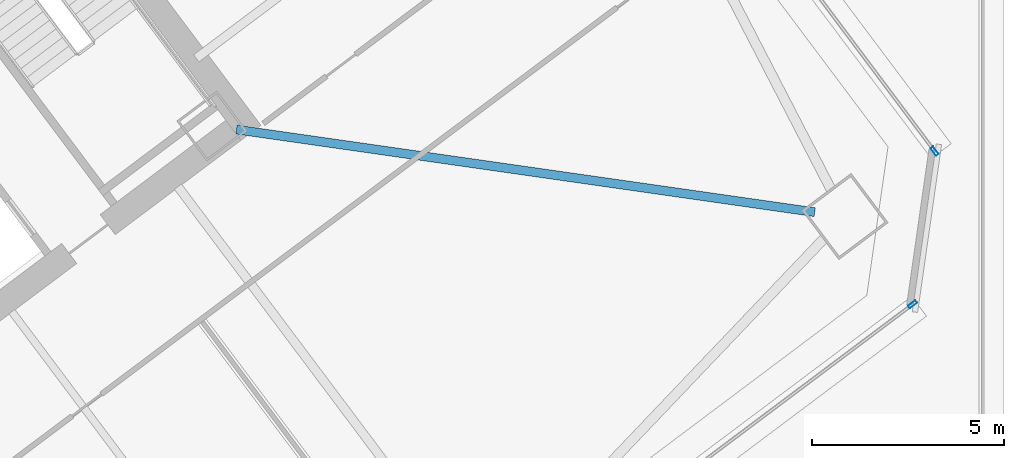
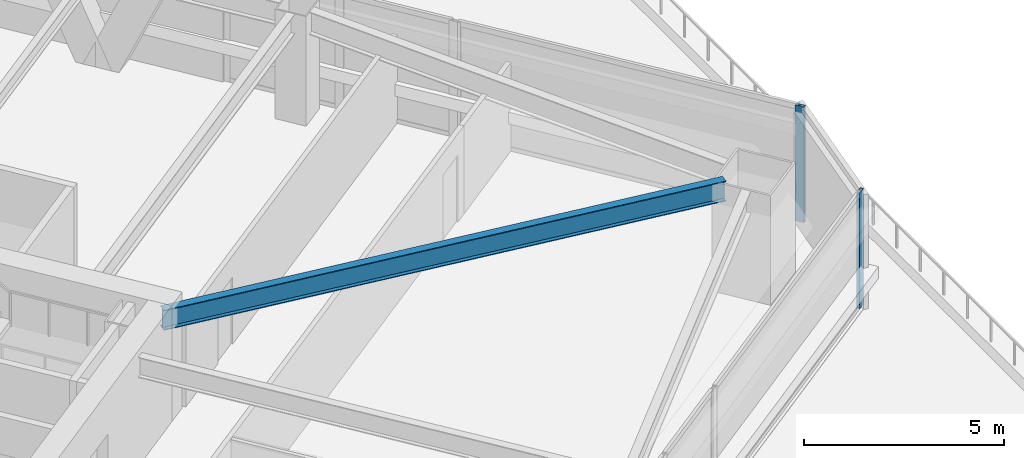
# One storey, part 61 of 83: 2 members, 1 beam, 2 elements without a shape of their own.
"""IFC4 building model written with IfcOpenShell, lengths in metres."""

from ifc_helpers import new_model, si_unit, direction, frame, origin, origin_2d, place, context, subcontext, project, spatial, hollow_rectangle, i_section, extrude, material, material_profile, profile_set, type_object, element, aggregate, save


model = new_model("IFC4")

# Units and contexts
model_context = context("Model", 3, precision=1e-05, world=origin(), true_north=direction((0.0, 1.0)))
body_context = subcontext(model_context, "Body", "Model", "MODEL_VIEW")
ifc_project = project(units=[si_unit("LENGTHUNIT", "METRE"), si_unit("AREAUNIT", "SQUARE_METRE"), si_unit("VOLUMEUNIT", "CUBIC_METRE"), si_unit("PLANEANGLEUNIT", "RADIAN"), si_unit("MASSUNIT", "GRAM", prefix="KILO")], contexts=[model_context])

# Site, building, storey
site_placement = place(None, origin())
site = spatial("IfcSite", under=ifc_project, at=site_placement, CompositionType="ELEMENT")
building_placement = place(site_placement, origin())
building = spatial("IfcBuilding", under=site, at=building_placement, Name="Tashvorn Skyway Center", CompositionType="ELEMENT")
storey_placement = place(building_placement, frame((0.0, 0.0, 24.60009765625)))
storey = spatial("IfcBuildingStorey", under=building, at=storey_placement, Name="L05", CompositionType="ELEMENT", Elevation=24.60009765625)

# Beam
ifc_material_1 = material(Name="Steel ASTM A992 Grade 50", Category="steel")
ifc_material_profile_1 = material_profile(ifc_material_1, i_section(OverallWidth=0.22998046875, OverallDepth=0.616943359375, WebThickness=0.01318359375, FlangeThickness=0.022216796875, at=origin_2d()), Name="W24X94")
ifc_profile_set_1 = profile_set([ifc_material_profile_1], Name="Steel ASTM A992 Grade 50")
beam_type = type_object("IfcBeamType", Name="BM-BEAM-W24X94", PredefinedType="BEAM", material=ifc_profile_set_1)
beam_placement = place(storey_placement, frame((139.532958984375, 28.3525390625, 3.04150390625), z_axis=(-0.989950458816, 0.141414599991, 0.0), x_axis=(-0.141414599991, -0.989950458816, 0.0)))
element("IfcBeam", 1, at=beam_placement, inside=storey, type_object=beam_type, Name="Tower 2 L05 Primary Floor Girder MC-SE", PredefinedType="BEAM", context=body_context, shape_type="SweptSolid", body=[
    extrude(i_section(OverallWidth=0.22998046875, OverallDepth=0.616943359375, WebThickness=0.01318359375, FlangeThickness=0.022216796875, at=origin_2d()), origin(), (0.0, 0.0, 1.0), 15.177001953125),
])

# Curtain wall, member
ifc_material_2 = material(Name="Thermally broken bronze-anodized aluminium 6063-T6", Category="aluminium")
curtain_wall_type = type_object("IfcCurtainWallType", Name="CW-CW-Z1", PredefinedType="NOTDEFINED", material=ifc_material_2)
curtain_wall_1_placement = place(storey_placement, origin())
curtain_wall_1 = element("IfcCurtainWall", 2, at=curtain_wall_1_placement, inside=storey, type_object=curtain_wall_type, Name="Tower 2 L05 South Unitised Curtain Wall Glazing Group 1", PredefinedType="NOTDEFINED")
ifc_material_profile_2 = material_profile(ifc_material_2, hollow_rectangle(XDim=0.0849609375, YDim=0.239990234375, WallThickness=0.0048828125, at=origin_2d()), Name="ALU-MULL-85x240")
ifc_profile_set_2 = profile_set([ifc_material_profile_2], Name="Thermally broken bronze-anodized aluminium 6063-T6")
member_type = type_object("IfcMemberType", Name="CWM-CW-Z1", PredefinedType="MULLION", material=ifc_profile_set_2)
member_1_placement = place(storey_placement, frame((142.077880859375, 25.95849609375, 0.0), z_axis=(0.0, 0.0, 1.0), x_axis=(0.600000000002, -0.799999999998, 0.0)))
member_1 = element("IfcMember", 3, at=member_1_placement, type_object=member_type, Name="CW-Z1 mullion 1", PredefinedType="MULLION", context=body_context, shape_type="SweptSolid", body=[
    extrude(hollow_rectangle(XDim=0.0849609375, YDim=0.239990234375, WallThickness=0.0048828125, at=origin_2d()), origin(), (0.0, 0.0, 1.0), 3.5498046875),
])
aggregate(curtain_wall_1, [member_1])

curtain_wall_2_placement = place(storey_placement, origin())
curtain_wall_2 = element("IfcCurtainWall", 4, at=curtain_wall_2_placement, inside=storey, type_object=curtain_wall_type, Name="Tower 2 L05 East Unitised Curtain Wall Glazing Group 4", PredefinedType="NOTDEFINED")
member_2_placement = place(storey_placement, frame((142.646484375, 29.93798828125, 0.0), z_axis=(0.0, 0.0, 1.0), x_axis=(0.799999999998, 0.600000000002, 0.0)))
member_2 = element("IfcMember", 5, at=member_2_placement, type_object=member_type, Name="CW-Z1 mullion 2", PredefinedType="MULLION", context=body_context, shape_type="SweptSolid", body=[
    extrude(hollow_rectangle(XDim=0.0849609375, YDim=0.239990234375, WallThickness=0.0048828125, at=origin_2d()), origin(), (0.0, 0.0, 1.0), 3.5498046875),
])
aggregate(curtain_wall_2, [member_2])

save(model, "model.ifc")
